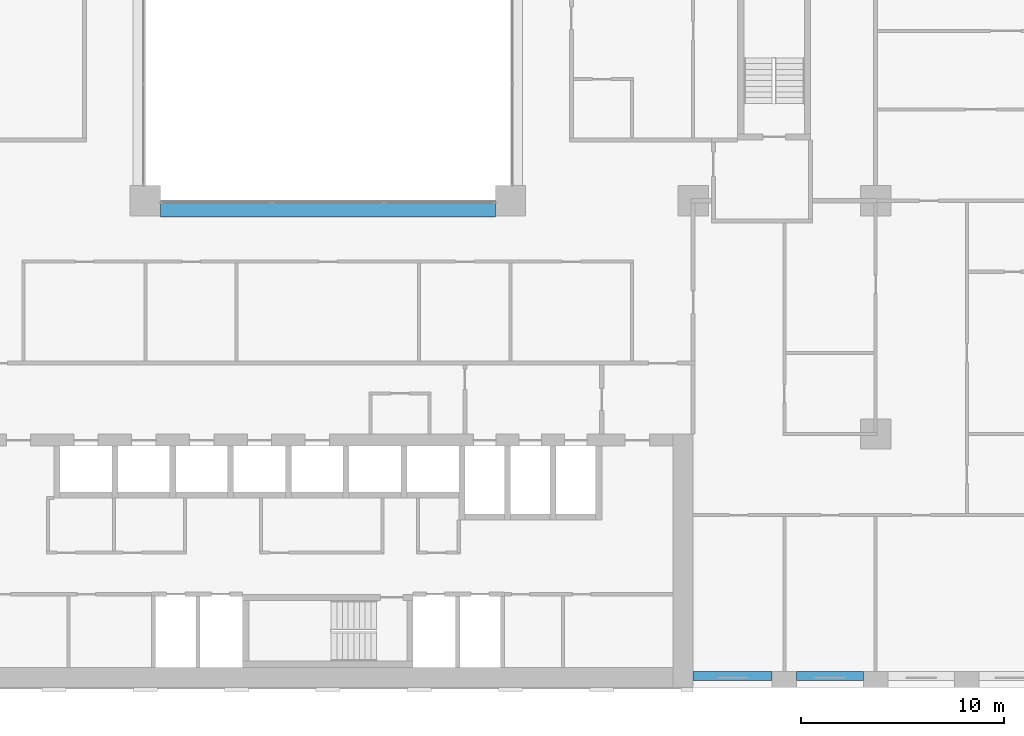
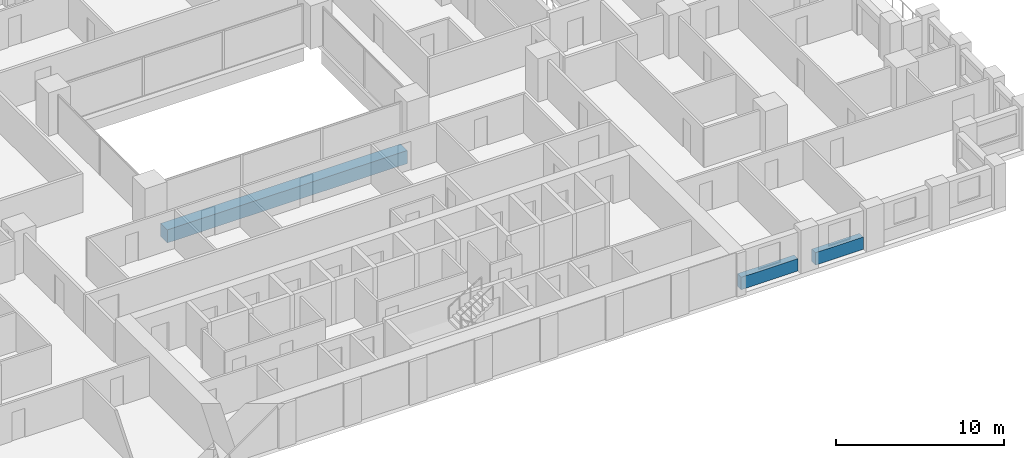
# One storey, part 3 of 20: 3 beams.
"""IFC4 building model written with IfcOpenShell, lengths in metres."""

import ifcopenshell
import ifcopenshell.guid

model = None  # the IFC model being written
_history = None  # IfcOwnerHistory: only IFC2X3 demands one
_inside = {}  # id of a spatial element -> (the spatial element, [elements in it])
_under = {}  # id of a project, library or spatial element -> (it, [spatial elements below it])
_declared = {}  # id of a project -> (the project, [libraries it declares])
_typed = {}  # id of a type object -> (the type object, [elements of that type])
_made_of = {}  # id of a material, layer set ... -> (it, [elements and type objects made of it])


def new_model(schema):
    """Start an empty IFC model of exactly this schema.

    Asked for "IFC4X3", IfcOpenShell would pick the latest addendum, in which some entities
    have other attributes; the version numbers below select the first issue.
    IFC2X3 requires an IfcOwnerHistory on every rooted entity: one is made here for all.
    """
    global model, _history
    if schema == "IFC4X3":
        model = ifcopenshell.file(schema_version=(4, 3, 0, 0))
    else:
        model = ifcopenshell.file(schema=schema)
    _inside.clear()
    _under.clear()
    _declared.clear()
    _typed.clear()
    _made_of.clear()
    _history = None
    if model.schema == "IFC2X3":
        org = make("IfcOrganization", Name="unknown")
        user = make(
            "IfcPersonAndOrganization",
            ThePerson=make("IfcPerson", FamilyName="unknown"),
            TheOrganization=org,
        )
        app = make(
            "IfcApplication",
            ApplicationDeveloper=org,
            Version="unknown",
            ApplicationFullName="unknown",
            ApplicationIdentifier="unknown",
        )
        _history = make(
            "IfcOwnerHistory",
            OwningUser=user,
            OwningApplication=app,
            ChangeAction="ADDED",
            CreationDate=0,
        )
    return model


def make(cls, **values):
    """One entity of the class cls with the attributes given. An attribute that is None is left unset."""
    return model.create_entity(
        cls, **{name: value for name, value in values.items() if value is not None}
    )


def rooted(cls, **values):
    """An entity with a GlobalId (a new one), such as an element, a storey or a relation."""
    return make(cls, GlobalId=ifcopenshell.guid.new(), OwnerHistory=_history, **values)


def si_unit(unit_type, name, prefix=None):
    """IfcSIUnit, for example si_unit("LENGTHUNIT", "METRE", prefix="MILLI")."""
    return make("IfcSIUnit", UnitType=unit_type, Prefix=prefix, Name=name)


def assignment(units):
    """IfcUnitAssignment: the units of a project."""
    return None if units is None else make("IfcUnitAssignment", Units=units)


def point(xyz):
    """IfcCartesianPoint."""
    return None if xyz is None else make("IfcCartesianPoint", Coordinates=xyz)


def direction(xyz):
    """IfcDirection."""
    return None if xyz is None else make("IfcDirection", DirectionRatios=xyz)


def frame(location, z_axis=None, x_axis=None):
    """IfcAxis2Placement3D, a coordinate frame: its origin and axes. An axis left out is left unset."""
    return make(
        "IfcAxis2Placement3D",
        Location=point(location),
        Axis=direction(z_axis),
        RefDirection=direction(x_axis),
    )


def frame_2d(location, x_axis=None):
    """IfcAxis2Placement2D, a coordinate frame in the plane: its origin and x axis."""
    return make(
        "IfcAxis2Placement2D", Location=point(location), RefDirection=direction(x_axis)
    )


def origin():
    """The frame at (0, 0, 0) with its axes left unset."""
    return frame((0.0, 0.0, 0.0))


def origin_2d():
    """The frame at (0, 0) in the plane with its x axis left unset."""
    return frame_2d((0.0, 0.0))


def place(relative_to, where):
    """IfcLocalPlacement: puts the frame where relative to a parent placement (None: the world)."""
    return make(
        "IfcLocalPlacement", PlacementRelTo=relative_to, RelativePlacement=where
    )


def context(
    kind, dimensions, precision=None, world=None, true_north=None, identifier=None
):
    """IfcGeometricRepresentationContext, for example the 3D "Model" context."""
    return make(
        "IfcGeometricRepresentationContext",
        ContextIdentifier=identifier,
        ContextType=kind,
        CoordinateSpaceDimension=dimensions,
        Precision=precision,
        WorldCoordinateSystem=world,
        TrueNorth=true_north,
    )


def subcontext(parent, identifier, kind, view, scale=None):
    """IfcGeometricRepresentationSubContext, for example "Body" below "Model"."""
    return make(
        "IfcGeometricRepresentationSubContext",
        ContextIdentifier=identifier,
        ContextType=kind,
        ParentContext=parent,
        TargetScale=scale,
        TargetView=view,
    )


def project(units=None, contexts=None):
    """IfcProject with its units and contexts."""
    return rooted(
        "IfcProject",
        Name="project",
        RepresentationContexts=contexts,
        UnitsInContext=assignment(units),
    )


def spatial(cls, under=None, at=None, **own):
    """A site, building, storey or space (cls), placed at a placement, below another one or the project."""
    s = rooted(cls, ObjectPlacement=at, **own)
    if under is not None:
        _under.setdefault(under.id(), (under, []))[1].append(s)
    return s


def profile(cls, at=None, kind="AREA", **sizes):
    """A parametric profile (cls). Its sizes go by their IFC names, for example OverallWidth=200.0."""
    return make(cls, ProfileType=kind, Position=at, **sizes)


def rectangle(**sizes):
    """IfcRectangleProfileDef."""
    return profile("IfcRectangleProfileDef", **sizes)


def extrude(swept, where, along, depth):
    """IfcExtrudedAreaSolid: the profile swept, set in the frame where, extruded along a direction by depth."""
    return make(
        "IfcExtrudedAreaSolid",
        SweptArea=swept,
        Position=where,
        ExtrudedDirection=direction(along),
        Depth=depth,
    )


def shape(context_of_items, identifier, shape_type, items):
    """IfcShapeRepresentation: the items that make up one representation, for example the "Body"."""
    return make(
        "IfcShapeRepresentation",
        ContextOfItems=context_of_items,
        RepresentationIdentifier=identifier,
        RepresentationType=shape_type,
        Items=items,
    )


def material(Name=None, Category=None):
    """IfcMaterial."""
    return make("IfcMaterial", Name=Name, Category=Category)


def material_profile(
    of_material, cross_section, Name=None, Category=None, Priority=None
):
    """IfcMaterialProfile: a cross section and its material."""
    return make(
        "IfcMaterialProfile",
        Name=Name,
        Material=of_material,
        Profile=cross_section,
        Priority=Priority,
        Category=Category,
    )


def profile_set(profiles, Name=None, composite=None):
    """IfcMaterialProfileSet."""
    return make(
        "IfcMaterialProfileSet",
        Name=Name,
        MaterialProfiles=profiles,
        CompositeProfile=composite,
    )


def made_of(thing, what):
    """Note that an element or type object is made of a material, layer set ...; save() writes the relation."""
    if what is not None:
        _made_of.setdefault(what.id(), (what, []))[1].append(thing)
    return thing


def type_object(cls, material=None, **own):
    """A type object (cls), such as IfcWallType, which elements share."""
    return made_of(rooted(cls, **own), material)


def element(
    cls,
    number,
    at=None,
    inside=None,
    cuts=None,
    type_object=None,
    material=None,
    context=None,
    identifier="Body",
    shape_type=None,
    held_by="IfcProductDefinitionShape",
    body=None,
    shapes=None,
    **own,
):
    """One element of the class cls, such as IfcWall. Its Tag is "e" and its number.

    at: its placement. inside: the storey or other place that contains it. cuts: it is an
    opening in that element (IfcRelVoidsElement). A single representation is given by context,
    identifier, shape_type and body (its items); several are given by shapes. held_by: the class
    of the entity that holds the representations. save() writes the other relations.
    """
    e = rooted(cls, Tag="e%d" % number, ObjectPlacement=at, **own)
    if body is not None:
        shapes = [shape(context, identifier, shape_type, body)]
    if shapes is not None:
        e.Representation = make(held_by, Representations=shapes)
    if inside is not None:
        _inside.setdefault(inside.id(), (inside, []))[1].append(e)
    if cuts is not None:
        rooted(
            "IfcRelVoidsElement", RelatingBuildingElement=cuts, RelatedOpeningElement=e
        )
    if type_object is not None:
        _typed.setdefault(type_object.id(), (type_object, []))[1].append(e)
    return made_of(e, material)


def aggregate(whole, parts):
    """IfcRelAggregates: a whole, such as a stair, and the parts it consists of."""
    return rooted("IfcRelAggregates", RelatingObject=whole, RelatedObjects=parts)


def save(model, path):
    """Write the relations noted so far, then the file.

    IfcRelAggregates (storeys below a building ...), IfcRelContainedInSpatialStructure (elements
    in a storey), IfcRelDefinesByType, IfcRelAssociatesMaterial and IfcRelDeclares: one each for
    every whole, place, type object, material and project.
    """
    for whole, parts in _under.values():
        aggregate(whole, parts)
    for where, things in _inside.values():
        rooted(
            "IfcRelContainedInSpatialStructure",
            RelatedElements=things,
            RelatingStructure=where,
        )
    for kind, things in _typed.values():
        rooted("IfcRelDefinesByType", RelatedObjects=things, RelatingType=kind)
    for what, things in _made_of.values():
        rooted("IfcRelAssociatesMaterial", RelatedObjects=things, RelatingMaterial=what)
    for by, libraries in _declared.values():
        rooted("IfcRelDeclares", RelatingContext=by, RelatedDefinitions=libraries)
    model.write(path)


model = new_model("IFC4")

# Units and contexts
model_context = context("Model", 3, precision=1e-05, world=origin(), true_north=direction((0.0, 1.0)))
body_context = subcontext(model_context, "Body", "Model", "MODEL_VIEW")
ifc_project = project(units=[si_unit("LENGTHUNIT", "METRE"), si_unit("AREAUNIT", "SQUARE_METRE"), si_unit("VOLUMEUNIT", "CUBIC_METRE"), si_unit("PLANEANGLEUNIT", "RADIAN"), si_unit("MASSUNIT", "GRAM", prefix="KILO")], contexts=[model_context])

# Site, building, storey
site_placement = place(None, origin())
site = spatial("IfcSite", under=ifc_project, at=site_placement, CompositionType="ELEMENT")
building_placement = place(site_placement, origin())
building = spatial("IfcBuilding", under=site, at=building_placement, Name="Brigalow Station Residences", CompositionType="ELEMENT")
storey_placement = place(building_placement, frame((0.0, 0.0, 38.39990234375)))
storey = spatial("IfcBuildingStorey", under=building, at=storey_placement, Name="L10", CompositionType="ELEMENT", Elevation=38.39990234375)

# Beams
ifc_material_1 = material(Name="Concrete C65", Category="concrete")
ifc_material_profile_1 = material_profile(ifc_material_1, rectangle(XDim=0.800048828125, YDim=0.949951171875, at=origin_2d()), Name="RC800x950")
ifc_profile_set_1 = profile_set([ifc_material_profile_1], Name="Concrete C65")
beam_type_1 = type_object("IfcBeamType", Name="ATRIUM EDGE GIRDER OVER 13.5 M SPAN 800x950 C65", PredefinedType="BEAM", material=ifc_profile_set_1)
beam_1_placement = place(storey_placement, frame((27.75, 23.60009765625, -0.794921875), z_axis=(1.0, 0.0, 0.0), x_axis=(0.0, 1.0, 0.0)))
element("IfcBeam", 1, at=beam_1_placement, inside=storey, type_object=beam_type_1, Name="ATRIUM EDGE GIRDER C L10", PredefinedType="BEAM", context=body_context, shape_type="SweptSolid", body=[
    extrude(rectangle(XDim=0.800048828125, YDim=0.949951171875, at=origin_2d()), origin(), (0.0, 0.0, 1.0), 16.5),
])
ifc_material_2 = material(Name="Concrete C65", Category="concrete")
ifc_material_profile_2 = material_profile(ifc_material_2, rectangle(XDim=0.449951171875, YDim=0.89990234375, at=origin_2d()), Name="RC450x900")
ifc_profile_set_2 = profile_set([ifc_material_profile_2], Name="Concrete C65")
beam_type_2 = type_object("IfcBeamType", Name="SPANDREL BEAM 450x900 C65", PredefinedType="SPANDREL", material=ifc_profile_set_2)
beam_2_placement = place(storey_placement, frame((54.0, 0.574951171875, 0.4501953125), z_axis=(1.0, 0.0, 0.0), x_axis=(0.0, 1.0, 0.0)))
element("IfcBeam", 2, at=beam_2_placement, inside=storey, type_object=beam_type_2, Name="L10/spandrel/W-L10-5", PredefinedType="SPANDREL", context=body_context, shape_type="SweptSolid", body=[
    extrude(rectangle(XDim=0.449951171875, YDim=0.89990234375, at=origin_2d()), origin(), (0.0, 0.0, 1.0), 3.89990234375),
])
beam_3_placement = place(storey_placement, frame((59.10009765625, 0.574951171875, 0.4501953125), z_axis=(1.0, 0.0, 0.0), x_axis=(0.0, 1.0, 0.0)))
element("IfcBeam", 3, at=beam_3_placement, inside=storey, type_object=beam_type_2, Name="L10/spandrel/W-L10-6", PredefinedType="SPANDREL", context=body_context, shape_type="SweptSolid", body=[
    extrude(rectangle(XDim=0.449951171875, YDim=0.89990234375, at=origin_2d()), origin(), (0.0, 0.0, 1.0), 3.2998046875),
])

save(model, "model.ifc")
